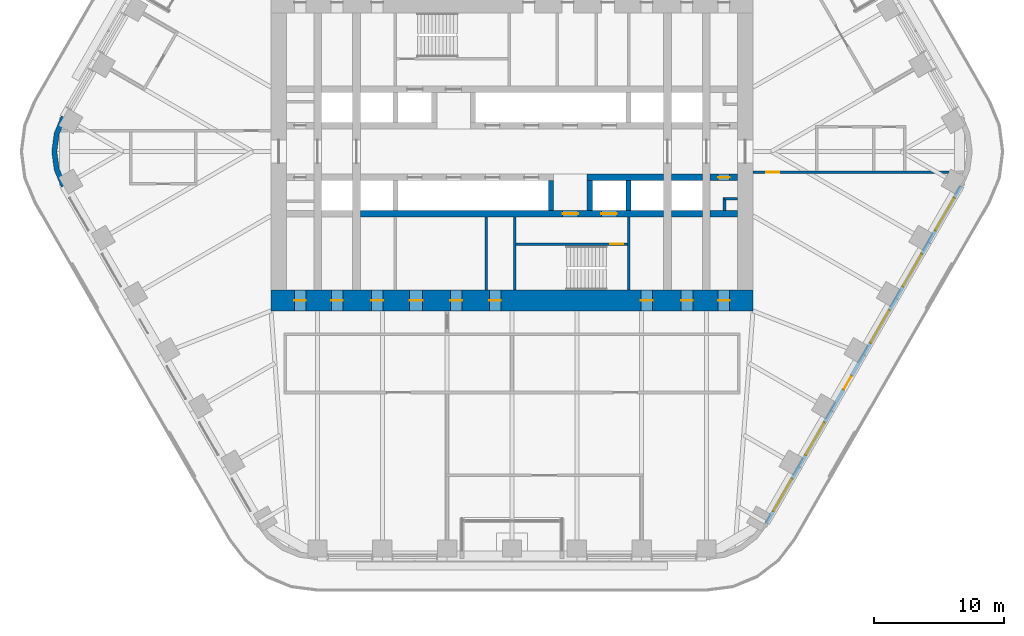
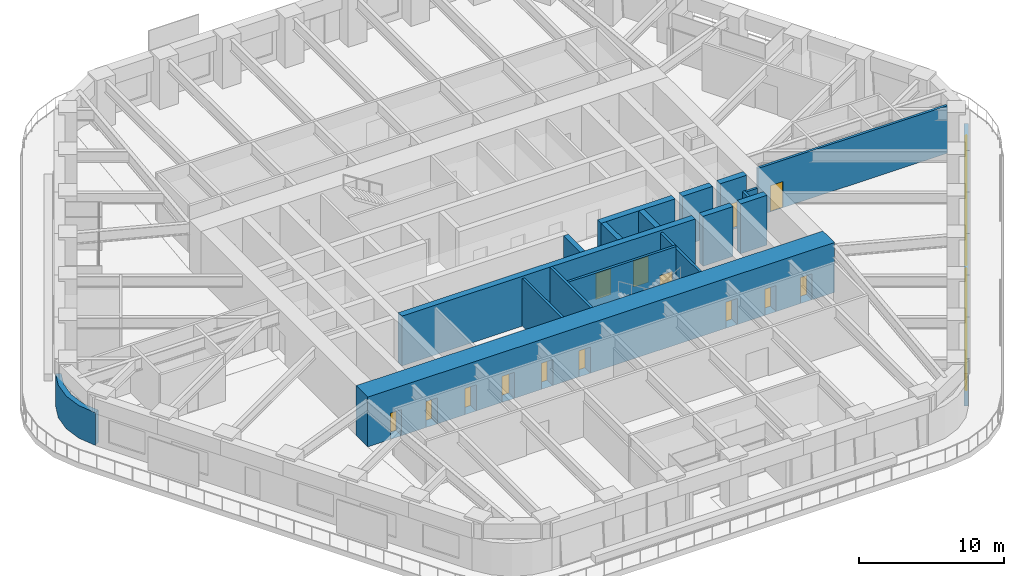
# One storey, part 18 of 24: 19 walls, 15 doors, 5 windows, 20 openings.
"""IFC4 building model written with IfcOpenShell, lengths in metres."""

from ifc_helpers import new_model, si_unit, direction, frame, frame_2d, origin, place, context, subcontext, project, spatial, polyline, rectangle, outline, extrude, material, layer, layer_set, type_object, element, fill, save


model = new_model("IFC4")

# Units and contexts
model_context = context("Model", 3, precision=1e-05, world=origin(), true_north=direction((0.0, 1.0)))
body_context = subcontext(model_context, "Body", "Model", "MODEL_VIEW")
ifc_project = project(units=[si_unit("LENGTHUNIT", "METRE"), si_unit("AREAUNIT", "SQUARE_METRE"), si_unit("VOLUMEUNIT", "CUBIC_METRE"), si_unit("PLANEANGLEUNIT", "RADIAN"), si_unit("MASSUNIT", "GRAM", prefix="KILO")], contexts=[model_context])

# Site, building, storey
site_placement = place(None, origin())
site = spatial("IfcSite", under=ifc_project, at=site_placement, CompositionType="ELEMENT")
building_placement = place(site_placement, origin())
building = spatial("IfcBuilding", under=site, at=building_placement, Name="Tarfa Lantern Tower", CompositionType="ELEMENT")
storey_placement = place(building_placement, frame((0.0, 0.0, 182.5)))
storey = spatial("IfcBuildingStorey", under=building, at=storey_placement, Name="L41", CompositionType="ELEMENT", Elevation=182.5)

# Wall, openings, door, windows
ifc_material_1 = material(Name="Limestone cladding on blockwork", Category="masonry")
ifc_layer_1 = layer(ifc_material_1, 0.300048828125)
ifc_layer_set_1 = layer_set([ifc_layer_1], Name="EW1 STONE-CLAD WALL 300")
wall_type_1 = type_object("IfcWallType", Name="EW1 STONE-CLAD WALL 300", PredefinedType="SOLIDWALL", material=ifc_layer_set_1)
wall_1_placement = place(storey_placement, frame((19.644287109375, -28.675048828125, 0.0), z_axis=(0.0, 0.0, 1.0), x_axis=(0.500003084452, 0.866023622968, 0.0)))
wall_1 = element("IfcWall", 1, at=wall_1_placement, inside=storey, type_object=wall_type_1, Name="Stone wall SE", PredefinedType="SOLIDWALL", context=body_context, shape_type="SweptSolid", body=[
    extrude(rectangle(XDim=30.022216796875, YDim=0.300048828125, at=frame_2d((15.01123046875, 0.0))), origin(), (0.0, 0.0, 1.0), 2.75),
])
opening_1_placement = place(wall_1_placement, frame((1.0517578125, 0.0, 0.60009765625)))
opening_1 = element("IfcOpeningElement", 2, at=opening_1_placement, cuts=wall_1, Name="Opening W9", PredefinedType="OPENING", context=body_context, shape_type="SweptSolid", body=[
    extrude(rectangle(XDim=2.89990234375, YDim=1.89990234375, at=frame_2d((1.449951171875, 0.949951171875))), frame((0.0, 0.159912109375, 0.0), z_axis=(0.0, -1.0, 0.0), x_axis=(1.0, 0.0, 0.0)), (0.0, 0.0, 1.0), 0.320068359375),
])
opening_2_placement = place(wall_1_placement, frame((6.0556640625, 0.0, 0.60009765625)))
opening_2 = element("IfcOpeningElement", 3, at=opening_2_placement, cuts=wall_1, Name="Opening W9", PredefinedType="OPENING", context=body_context, shape_type="SweptSolid", body=[
    extrude(rectangle(XDim=2.89990234375, YDim=1.89990234375, at=frame_2d((1.449951171875, 0.949951171875))), frame((0.0, 0.159912109375, 0.0), z_axis=(0.0, -1.0, 0.0), x_axis=(1.0, 0.0, 0.0)), (0.0, 0.0, 1.0), 0.320068359375),
])
opening_3_placement = place(wall_1_placement, frame((11.9091796875, 0.0, 0.0)))
opening_3 = element("IfcOpeningElement", 4, at=opening_3_placement, cuts=wall_1, Name="Opening D46", PredefinedType="OPENING", context=body_context, shape_type="SweptSolid", body=[
    extrude(rectangle(XDim=1.199951171875, YDim=2.39990234375, at=frame_2d((0.60009765625, 1.199951171875))), frame((0.0, 0.159912109375, 0.0), z_axis=(0.0, -1.0, 0.0), x_axis=(1.0, 0.0, 0.0)), (0.0, 0.0, 1.0), 0.320068359375),
])
opening_4_placement = place(wall_1_placement, frame((16.06298828125, 0.0, 0.60009765625)))
opening_4 = element("IfcOpeningElement", 5, at=opening_4_placement, cuts=wall_1, Name="Opening W9", PredefinedType="OPENING", context=body_context, shape_type="SweptSolid", body=[
    extrude(rectangle(XDim=2.89990234375, YDim=1.89990234375, at=frame_2d((1.449951171875, 0.949951171875))), frame((0.0, 0.159912109375, 0.0), z_axis=(0.0, -1.0, 0.0), x_axis=(1.0, 0.0, 0.0)), (0.0, 0.0, 1.0), 0.320068359375),
])
opening_5_placement = place(wall_1_placement, frame((21.066650390625, 0.0, 0.60009765625)))
opening_5 = element("IfcOpeningElement", 6, at=opening_5_placement, cuts=wall_1, Name="Opening W9", PredefinedType="OPENING", context=body_context, shape_type="SweptSolid", body=[
    extrude(rectangle(XDim=2.89990234375, YDim=1.89990234375, at=frame_2d((1.449951171875, 0.949951171875))), frame((0.0, 0.159912109375, 0.0), z_axis=(0.0, -1.0, 0.0), x_axis=(1.0, 0.0, 0.0)), (0.0, 0.0, 1.0), 0.320068359375),
])
opening_6_placement = place(wall_1_placement, frame((26.0703125, 0.0, 0.60009765625)))
opening_6 = element("IfcOpeningElement", 7, at=opening_6_placement, cuts=wall_1, Name="Opening W9", PredefinedType="OPENING", context=body_context, shape_type="SweptSolid", body=[
    extrude(rectangle(XDim=2.89990234375, YDim=1.89990234375, at=frame_2d((1.449951171875, 0.949951171875))), frame((0.0, 0.159912109375, 0.0), z_axis=(0.0, -1.0, 0.0), x_axis=(1.0, 0.0, 0.0)), (0.0, 0.0, 1.0), 0.320068359375),
])
ifc_material_2 = material(Name="Aluminium framed glazed door", Category="aluminium")
door_type_1 = type_object("IfcDoorType", Name="BE3 BALCONY DOOR 1200x2400", OperationType="SINGLE_SWING_RIGHT", PredefinedType="DOOR", material=ifc_material_2)
door_1_placement = place(opening_3_placement, origin())
door_1 = element("IfcDoor", 8, at=door_1_placement, inside=storey, type_object=door_type_1, Name="Balcony door SE", OperationType="SINGLE_SWING_RIGHT", OverallHeight=2.39990234375, OverallWidth=1.199951171875, PredefinedType="DOOR", context=body_context, shape_type="SweptSolid", body=[
    extrude(rectangle(XDim=1.199951171875, YDim=2.39990234375, at=frame_2d((0.60009765625, 1.199951171875))), frame((0.0, 0.02490234375, 0.0), z_axis=(0.0, -1.0, 0.0), x_axis=(1.0, 0.0, 0.0)), (0.0, 0.0, 1.0), 0.050048828125),
])
fill(opening_3, door_1)
ifc_material_3 = material(Name="Aluminium frame, double glazed", Category="aluminium")
window_type = type_object("IfcWindowType", Name="W9 FULL-HEIGHT GLAZING 2900x1900", PartitioningType="SINGLE_PANEL", PredefinedType="WINDOW", material=ifc_material_3)
window_1_placement = place(opening_1_placement, origin())
window_1 = element("IfcWindow", 9, at=window_1_placement, inside=storey, type_object=window_type, Name="Window SE 1", OverallHeight=1.89990234375, OverallWidth=2.89990234375, PartitioningType="SINGLE_PANEL", PredefinedType="WINDOW", context=body_context, shape_type="SweptSolid", body=[
    extrude(rectangle(XDim=2.89990234375, YDim=1.89990234375, at=frame_2d((1.449951171875, 0.949951171875))), frame((0.0, 0.030029296875, 0.0), z_axis=(0.0, -1.0, 0.0), x_axis=(1.0, 0.0, 0.0)), (0.0, 0.0, 1.0), 0.06005859375),
])
fill(opening_1, window_1)
window_2_placement = place(opening_2_placement, origin())
window_2 = element("IfcWindow", 10, at=window_2_placement, inside=storey, type_object=window_type, Name="Window SE 2", OverallHeight=1.89990234375, OverallWidth=2.89990234375, PartitioningType="SINGLE_PANEL", PredefinedType="WINDOW", context=body_context, shape_type="SweptSolid", body=[
    extrude(rectangle(XDim=2.89990234375, YDim=1.89990234375, at=frame_2d((1.449951171875, 0.949951171875))), frame((0.0, 0.030029296875, 0.0), z_axis=(0.0, -1.0, 0.0), x_axis=(1.0, 0.0, 0.0)), (0.0, 0.0, 1.0), 0.06005859375),
])
fill(opening_2, window_2)
window_3_placement = place(opening_4_placement, origin())
window_3 = element("IfcWindow", 11, at=window_3_placement, inside=storey, type_object=window_type, Name="Window SE 4", OverallHeight=1.89990234375, OverallWidth=2.89990234375, PartitioningType="SINGLE_PANEL", PredefinedType="WINDOW", context=body_context, shape_type="SweptSolid", body=[
    extrude(rectangle(XDim=2.89990234375, YDim=1.89990234375, at=frame_2d((1.449951171875, 0.949951171875))), frame((0.0, 0.030029296875, 0.0), z_axis=(0.0, -1.0, 0.0), x_axis=(1.0, 0.0, 0.0)), (0.0, 0.0, 1.0), 0.06005859375),
])
fill(opening_4, window_3)
window_4_placement = place(opening_5_placement, origin())
window_4 = element("IfcWindow", 12, at=window_4_placement, inside=storey, type_object=window_type, Name="Window SE 5", OverallHeight=1.89990234375, OverallWidth=2.89990234375, PartitioningType="SINGLE_PANEL", PredefinedType="WINDOW", context=body_context, shape_type="SweptSolid", body=[
    extrude(rectangle(XDim=2.89990234375, YDim=1.89990234375, at=frame_2d((1.449951171875, 0.949951171875))), frame((0.0, 0.030029296875, 0.0), z_axis=(0.0, -1.0, 0.0), x_axis=(1.0, 0.0, 0.0)), (0.0, 0.0, 1.0), 0.06005859375),
])
fill(opening_5, window_4)
window_5_placement = place(opening_6_placement, origin())
window_5 = element("IfcWindow", 13, at=window_5_placement, inside=storey, type_object=window_type, Name="Window SE 6", OverallHeight=1.89990234375, OverallWidth=2.89990234375, PartitioningType="SINGLE_PANEL", PredefinedType="WINDOW", context=body_context, shape_type="SweptSolid", body=[
    extrude(rectangle(XDim=2.89990234375, YDim=1.89990234375, at=frame_2d((1.449951171875, 0.949951171875))), frame((0.0, 0.030029296875, 0.0), z_axis=(0.0, -1.0, 0.0), x_axis=(1.0, 0.0, 0.0)), (0.0, 0.0, 1.0), 0.06005859375),
])
fill(opening_6, window_5)

# Walls
ifc_layer_2 = layer(ifc_material_1, 0.39990234375)
ifc_layer_set_2 = layer_set([ifc_layer_2], Name="EW2 CURVED STONE CORNER 400")
wall_type_2 = type_object("IfcWallType", Name="EW2 CURVED STONE CORNER 400", PredefinedType="SOLIDWALL", material=ifc_layer_set_2)
wall_2_placement = place(storey_placement, origin())
element("IfcWall", 14, at=wall_2_placement, inside=storey, type_object=wall_type_2, Name="Stone corner NW-SW", PredefinedType="SOLIDWALL", context=body_context, shape_type="SweptSolid", body=[
    extrude(outline(polyline([(-34.785400390625, 2.75), (-35.334716796875, 1.423583984375), (-35.522216796875, 0.0), (-35.334716796875, -1.423583984375), (-34.785400390625, -2.75), (-34.43896484375, -2.550048828125), (-34.948486328125, -1.320068359375), (-35.122314453125, 0.0), (-34.948486328125, 1.320068359375), (-34.43896484375, 2.550048828125), (-34.785400390625, 2.75)])), origin(), (0.0, 0.0, 1.0), 2.75),
])
ifc_material_4 = material(Name="Concrete blockwork", Category="masonry")
ifc_layer_3 = layer(ifc_material_4, 0.199951171875)
ifc_layer_set_3 = layer_set([ifc_layer_3], Name="IW1 BLOCKWORK PARTITION 200 EI 120")
wall_type_3 = type_object("IfcWallType", Name="IW1 BLOCKWORK PARTITION 200 EI 120", PredefinedType="PARTITIONING", material=ifc_layer_set_3)
for number, where, z_axis, x_axis, name in (
    (15, (9.0, -5.050048828125, 0.0), (0.0, 0.0, 1.0), (0.0, -1.0, 0.0), "Core partition"),
    (16, (-2.0, -5.050048828125, 0.0), (0.0, 0.0, 1.0), (0.0, -1.0, 0.0), "Core partition"),
):
    element("IfcWall", number, at=place(storey_placement, frame(where, z_axis=z_axis, x_axis=x_axis)), inside=storey, type_object=wall_type_3, Name=name, PredefinedType="PARTITIONING", context=body_context, shape_type="SweptSolid", body=[
        extrude(rectangle(XDim=5.64990234375, YDim=0.199951171875, at=frame_2d((2.824951171875, 0.0))), origin(), (0.0, 0.0, 1.0), 4.0),
    ])
for number, where, z_axis, x_axis, name in (
    (17, (17.39990234375, -3.64990234375, 0.0), (0.0, 0.0, 1.0), (-1.0, 0.0, 0.0), "Core partition"),
    (18, (16.39990234375, -3.550048828125, 0.0), (0.0, 0.0, 1.0), (0.0, -1.0, 0.0), "Core partition"),
):
    element("IfcWall", number, at=place(storey_placement, frame(where, z_axis=z_axis, x_axis=x_axis)), inside=storey, type_object=wall_type_3, Name=name, PredefinedType="PARTITIONING", context=body_context, shape_type="SweptSolid", body=[
        extrude(rectangle(XDim=1.0, YDim=0.199951171875, at=frame_2d((0.5, 0.0))), origin(), (0.0, 0.0, 1.0), 4.0),
    ])

# Wall, opening, door
ifc_material_5 = material(Name="Gypsum board on steel studs", Category="steel")
ifc_layer_4 = layer(ifc_material_5, 0.2099609375)
ifc_layer_set_4 = layer_set([ifc_layer_4], Name="IW2 ACOUSTIC PARTITION 200")
wall_type_4 = type_object("IfcWallType", Name="IW2 ACOUSTIC PARTITION 200", PredefinedType="PARTITIONING", material=ifc_layer_set_4)
wall_3_placement = place(storey_placement, frame((18.60009765625, -1.60009765625, 0.0), z_axis=(0.0, 0.0, 1.0), x_axis=(1.0, 0.0, 0.0)))
wall_3 = element("IfcWall", 19, at=wall_3_placement, inside=storey, type_object=wall_type_4, Name="Partition", PredefinedType="PARTITIONING", context=body_context, shape_type="SweptSolid", body=[
    extrude(rectangle(XDim=15.1171875, YDim=0.199951171875, at=frame_2d((7.55859375, 0.0))), origin(), (0.0, 0.0, 1.0), 4.0),
])
opening_7_placement = place(wall_3_placement, frame((1.01171875, 0.0, 0.0)))
opening_7 = element("IfcOpeningElement", 20, at=opening_7_placement, cuts=wall_3, Name="Opening D42", PredefinedType="OPENING", context=body_context, shape_type="SweptSolid", body=[
    extrude(rectangle(XDim=1.0, YDim=2.199951171875, at=frame_2d((0.5, 1.10009765625))), frame((0.0, 0.10986328125, 0.0), z_axis=(0.0, -1.0, 0.0), x_axis=(1.0, 0.0, 0.0)), (0.0, 0.0, 1.0), 0.219970703125),
])
ifc_material_6 = material(Name="Timber door", Category="wood")
door_type_2 = type_object("IfcDoorType", Name="DR1 ROOM DOOR 1000x2200", OperationType="SINGLE_SWING_LEFT", PredefinedType="DOOR", material=ifc_material_6)
door_2_placement = place(opening_7_placement, frame((1.0, 0.0, 0.0), z_axis=(0.0, 0.0, 1.0), x_axis=(-1.0, 0.0, 0.0)))
door_2 = element("IfcDoor", 21, at=door_2_placement, inside=storey, type_object=door_type_2, Name="Zone door", OperationType="SINGLE_SWING_LEFT", OverallHeight=2.199951171875, OverallWidth=1.0, PredefinedType="DOOR", context=body_context, shape_type="SweptSolid", body=[
    extrude(rectangle(XDim=1.0, YDim=2.199951171875, at=frame_2d((0.5, 1.10009765625))), frame((0.0, 0.02490234375, 0.0), z_axis=(0.0, -1.0, 0.0), x_axis=(1.0, 0.0, 0.0)), (0.0, 0.0, 1.0), 0.050048828125),
])
fill(opening_7, door_2)

# Wall
ifc_material_7 = material(Name="Concrete C80/95", Category="concrete")
ifc_layer_5 = layer(ifc_material_7, 0.199951171875)
ifc_layer_set_5 = layer_set([ifc_layer_5], Name="SW12 CORE WALL 200")
wall_type_5 = type_object("IfcWallType", Name="SW12 CORE WALL 200", PredefinedType="SHEAR", material=ifc_layer_set_5)
wall_4_placement = place(storey_placement, frame((0.199951171875, -5.050048828125, 0.0), z_axis=(0.0, 0.0, 1.0), x_axis=(0.0, -1.0, 0.0)))
element("IfcWall", 22, at=wall_4_placement, inside=storey, type_object=wall_type_5, Name="Core wall stair shaft S", PredefinedType="SHEAR", context=body_context, shape_type="SweptSolid", body=[
    extrude(rectangle(XDim=5.64990234375, YDim=0.199951171875, at=frame_2d((2.824951171875, 0.0))), origin(), (0.0, 0.0, 1.0), 4.199951171875),
])

# Wall, opening, door
wall_5_placement = place(storey_placement, frame((8.89990234375, -7.14990234375, 0.0), z_axis=(0.0, 0.0, 1.0), x_axis=(-1.0, 0.0, 0.0)))
wall_5 = element("IfcWall", 23, at=wall_5_placement, inside=storey, type_object=wall_type_5, Name="Core wall stair partition S", PredefinedType="SHEAR", context=body_context, shape_type="SweptSolid", body=[
    extrude(rectangle(XDim=8.599853515625, YDim=0.199951171875, at=frame_2d((4.2998046875, 0.0))), origin(), (0.0, 0.0, 1.0), 4.199951171875),
])
opening_8_placement = place(wall_5_placement, frame((0.300048828125, 0.0, 0.0)))
opening_8 = element("IfcOpeningElement", 24, at=opening_8_placement, cuts=wall_5, Name="Opening D28", PredefinedType="OPENING", context=body_context, shape_type="SweptSolid", body=[
    extrude(rectangle(XDim=1.0, YDim=2.199951171875, at=frame_2d((0.5, 1.10009765625))), frame((0.0, 0.10986328125, 0.0), z_axis=(0.0, -1.0, 0.0), x_axis=(1.0, 0.0, 0.0)), (0.0, 0.0, 1.0), 0.219970703125),
])
ifc_material_8 = material(Name="Steel fire door", Category="steel")
door_type_3 = type_object("IfcDoorType", Name="DF2 STAIR DOOR 1000x2200", OperationType="SINGLE_SWING_LEFT", PredefinedType="DOOR", material=ifc_material_8)
door_3_placement = place(opening_8_placement, origin())
door_3 = element("IfcDoor", 25, at=door_3_placement, inside=storey, type_object=door_type_3, Name="Stair door", OperationType="SINGLE_SWING_RIGHT", OverallHeight=2.199951171875, OverallWidth=1.0, PredefinedType="DOOR", context=body_context, shape_type="SweptSolid", body=[
    extrude(rectangle(XDim=1.0, YDim=2.199951171875, at=frame_2d((0.5, 1.10009765625))), frame((0.0, 0.02490234375, 0.0), z_axis=(0.0, -1.0, 0.0), x_axis=(1.0, 0.0, 0.0)), (0.0, 0.0, 1.0), 0.050048828125),
])
fill(opening_8, door_3)

ifc_layer_6 = layer(ifc_material_7, 0.5)
ifc_layer_set_6 = layer_set([ifc_layer_6], Name="SW5 CORE WALL 500")
wall_type_6 = type_object("IfcWallType", Name="SW5 CORE WALL 500", PredefinedType="SHEAR", material=ifc_layer_set_6)
wall_6_placement = place(storey_placement, frame((17.39990234375, -2.0, 0.0), z_axis=(0.0, 0.0, 1.0), x_axis=(-1.0, 0.0, 0.0)))
wall_6 = element("IfcWall", 26, at=wall_6_placement, inside=storey, type_object=wall_type_6, Name="Core wall lobby west S", PredefinedType="SHEAR", context=body_context, shape_type="SweptSolid", body=[
    extrude(rectangle(XDim=2.099853515625, YDim=0.5, at=frame_2d((1.0498046875, 0.0))), origin(), (0.0, 0.0, 1.0), 4.199951171875),
])
opening_9_placement = place(wall_6_placement, frame((0.60009765625, 0.0, 0.0)))
opening_9 = element("IfcOpeningElement", 27, at=opening_9_placement, cuts=wall_6, Name="Opening D20", PredefinedType="OPENING", context=body_context, shape_type="SweptSolid", body=[
    extrude(rectangle(XDim=0.89990234375, YDim=2.199951171875, at=frame_2d((0.449951171875, 1.10009765625))), frame((0.0, 0.260009765625, 0.0), z_axis=(0.0, -1.0, 0.0), x_axis=(1.0, 0.0, 0.0)), (0.0, 0.0, 1.0), 0.52001953125),
])
door_type_4 = type_object("IfcDoorType", Name="DF6 SERVICE ROOM DOOR 900x2200", OperationType="SINGLE_SWING_LEFT", PredefinedType="DOOR", material=ifc_material_8)
door_4_placement = place(opening_9_placement, origin())
door_4 = element("IfcDoor", 28, at=door_4_placement, inside=storey, type_object=door_type_4, Name="Service room door", OperationType="SINGLE_SWING_LEFT", OverallHeight=2.199951171875, OverallWidth=0.89990234375, PredefinedType="DOOR", context=body_context, shape_type="SweptSolid", body=[
    extrude(rectangle(XDim=0.89990234375, YDim=2.199951171875, at=frame_2d((0.449951171875, 1.10009765625))), frame((0.0, 0.02490234375, 0.0), z_axis=(0.0, -1.0, 0.0), x_axis=(1.0, 0.0, 0.0)), (0.0, 0.0, 1.0), 0.050048828125),
])
fill(opening_9, door_4)

# Walls
wall_7_placement = place(storey_placement, frame((14.699951171875, -2.0, 0.0), z_axis=(0.0, 0.0, 1.0), x_axis=(-1.0, 0.0, 0.0)))
element("IfcWall", 29, at=wall_7_placement, inside=storey, type_object=wall_type_6, Name="Core wall lobby west S", PredefinedType="SHEAR", context=body_context, shape_type="SweptSolid", body=[
    extrude(rectangle(XDim=2.39990234375, YDim=0.5, at=frame_2d((1.199951171875, 0.0))), origin(), (0.0, 0.0, 1.0), 4.199951171875),
])
wall_8_placement = place(storey_placement, frame((11.699951171875, -2.0, 0.0), z_axis=(0.0, 0.0, 1.0), x_axis=(-1.0, 0.0, 0.0)))
element("IfcWall", 30, at=wall_8_placement, inside=storey, type_object=wall_type_6, Name="Core wall lobby west S", PredefinedType="SHEAR", context=body_context, shape_type="SweptSolid", body=[
    extrude(rectangle(XDim=5.89990234375, YDim=0.5, at=frame_2d((2.949951171875, 0.0))), origin(), (0.0, 0.0, 1.0), 4.199951171875),
])
wall_9_placement = place(storey_placement, frame((17.39990234375, -4.800048828125, 0.0), z_axis=(0.0, 0.0, 1.0), x_axis=(-1.0, 0.0, 0.0)))
element("IfcWall", 31, at=wall_9_placement, inside=storey, type_object=wall_type_6, Name="Core wall rear S", PredefinedType="SHEAR", context=body_context, shape_type="SweptSolid", body=[
    extrude(rectangle(XDim=2.099853515625, YDim=0.5, at=frame_2d((1.0498046875, 0.0))), origin(), (0.0, 0.0, 1.0), 4.199951171875),
])
wall_10_placement = place(storey_placement, frame((14.699951171875, -4.800048828125, 0.0), z_axis=(0.0, 0.0, 1.0), x_axis=(-1.0, 0.0, 0.0)))
element("IfcWall", 32, at=wall_10_placement, inside=storey, type_object=wall_type_6, Name="Core wall rear S", PredefinedType="SHEAR", context=body_context, shape_type="SweptSolid", body=[
    extrude(rectangle(XDim=2.39990234375, YDim=0.5, at=frame_2d((1.199951171875, 0.0))), origin(), (0.0, 0.0, 1.0), 4.199951171875),
])

# Wall, openings, doors
wall_11_placement = place(storey_placement, frame((11.699951171875, -4.800048828125, 0.0), z_axis=(0.0, 0.0, 1.0), x_axis=(-1.0, 0.0, 0.0)))
wall_11 = element("IfcWall", 33, at=wall_11_placement, inside=storey, type_object=wall_type_6, Name="Core wall rear S", PredefinedType="SHEAR", context=body_context, shape_type="SweptSolid", body=[
    extrude(rectangle(XDim=23.39990234375, YDim=0.5, at=frame_2d((11.699951171875, 0.0))), origin(), (0.0, 0.0, 1.0), 4.199951171875),
])
opening_10_placement = place(wall_11_placement, frame((6.60009765625, 0.0, 0.0)))
opening_10 = element("IfcOpeningElement", 34, at=opening_10_placement, cuts=wall_11, Name="Opening D14", PredefinedType="OPENING", context=body_context, shape_type="SweptSolid", body=[
    extrude(rectangle(XDim=1.199951171875, YDim=2.199951171875, at=frame_2d((0.60009765625, 1.10009765625))), frame((0.0, 0.260009765625, 0.0), z_axis=(0.0, -1.0, 0.0), x_axis=(1.0, 0.0, 0.0)), (0.0, 0.0, 1.0), 0.52001953125),
])
opening_11_placement = place(wall_11_placement, frame((3.60009765625, 0.0, 0.0)))
opening_11 = element("IfcOpeningElement", 35, at=opening_11_placement, cuts=wall_11, Name="Opening LD02", PredefinedType="OPENING", context=body_context, shape_type="SweptSolid", body=[
    extrude(rectangle(XDim=1.199951171875, YDim=2.199951171875, at=frame_2d((0.60009765625, 1.10009765625))), frame((0.0, 0.260009765625, 0.0), z_axis=(0.0, -1.0, 0.0), x_axis=(1.0, 0.0, 0.0)), (0.0, 0.0, 1.0), 0.52001953125),
])
door_type_5 = type_object("IfcDoorType", Name="DF1 FIREFIGHTING LOBBY DOOR 1200x2200", OperationType="SINGLE_SWING_LEFT", PredefinedType="DOOR", material=ifc_material_8)
door_5_placement = place(opening_10_placement, origin())
door_5 = element("IfcDoor", 36, at=door_5_placement, inside=storey, type_object=door_type_5, Name="Firefighting lobby door", OperationType="SINGLE_SWING_LEFT", OverallHeight=2.199951171875, OverallWidth=1.199951171875, PredefinedType="DOOR", context=body_context, shape_type="SweptSolid", body=[
    extrude(rectangle(XDim=1.199951171875, YDim=2.199951171875, at=frame_2d((0.60009765625, 1.10009765625))), frame((0.0, 0.02490234375, 0.0), z_axis=(0.0, -1.0, 0.0), x_axis=(1.0, 0.0, 0.0)), (0.0, 0.0, 1.0), 0.050048828125),
])
fill(opening_10, door_5)
ifc_material_9 = material(Name="Stainless steel lift door", Category="steel")
door_type_6 = type_object("IfcDoorType", Name="LD1 LIFT LANDING DOOR 1200x2200", OperationType="SLIDING_TO_LEFT", PredefinedType="DOOR", material=ifc_material_9)
door_6_placement = place(opening_11_placement, origin())
door_6 = element("IfcDoor", 37, at=door_6_placement, inside=storey, type_object=door_type_6, Name="Landing door FL2", OperationType="SLIDING_TO_LEFT", OverallHeight=2.199951171875, OverallWidth=1.199951171875, PredefinedType="DOOR", context=body_context, shape_type="SweptSolid", body=[
    extrude(rectangle(XDim=1.199951171875, YDim=2.199951171875, at=frame_2d((0.60009765625, 1.10009765625))), frame((0.0, 0.02490234375, 0.0), z_axis=(0.0, -1.0, 0.0), x_axis=(1.0, 0.0, 0.0)), (0.0, 0.0, 1.0), 0.050048828125),
])
fill(opening_11, door_6)

# Walls
ifc_layer_7 = layer(ifc_material_7, 0.39990234375)
ifc_layer_set_7 = layer_set([ifc_layer_7], Name="SW6 CORE WALL 400")
wall_type_7 = type_object("IfcWallType", Name="SW6 CORE WALL 400", PredefinedType="SHEAR", material=ifc_layer_set_7)
for number, where, z_axis, x_axis, name in (
    (38, (9.0, -2.25, 0.0), (0.0, 0.0, 1.0), (0.0, -1.0, 0.0), "Core wall divider S"),
    (39, (6.0, -2.25, 0.0), (0.0, 0.0, 1.0), (0.0, -1.0, 0.0), "Core wall divider S"),
    (40, (3.0, -2.25, 0.0), (0.0, 0.0, 1.0), (0.0, -1.0, 0.0), "Core wall divider S"),
):
    element("IfcWall", number, at=place(storey_placement, frame(where, z_axis=z_axis, x_axis=x_axis)), inside=storey, type_object=wall_type_7, Name=name, PredefinedType="SHEAR", context=body_context, shape_type="SweptSolid", body=[
        extrude(rectangle(XDim=2.300048828125, YDim=0.39990234375, at=frame_2d((1.14990234375, 0.0))), origin(), (0.0, 0.0, 1.0), 4.199951171875),
    ])

# Wall, openings, doors
ifc_layer_8 = layer(ifc_material_7, 1.60009765625)
ifc_layer_set_8 = layer_set([ifc_layer_8], Name="SW7 CORE WALL 1600")
wall_type_8 = type_object("IfcWallType", Name="SW7 CORE WALL 1600", PredefinedType="SHEAR", material=ifc_layer_set_8)
wall_12_placement = place(storey_placement, frame((18.60009765625, -11.5, 0.0), z_axis=(0.0, 0.0, 1.0), x_axis=(-1.0, 0.0, 0.0)))
wall_12 = element("IfcWall", 41, at=wall_12_placement, inside=storey, type_object=wall_type_8, Name="Core wall S", PredefinedType="SHEAR", context=body_context, shape_type="SweptSolid", body=[
    extrude(rectangle(XDim=37.2001953125, YDim=1.60009765625, at=frame_2d((18.60009765625, 0.0))), origin(), (0.0, 0.0, 1.0), 4.199951171875),
])
opening_12_placement = place(wall_12_placement, frame((19.449951171875, 0.0, 0.0)))
opening_12 = element("IfcOpeningElement", 42, at=opening_12_placement, cuts=wall_12, Name="Opening D22", PredefinedType="OPENING", context=body_context, shape_type="SweptSolid", body=[
    extrude(rectangle(XDim=0.89990234375, YDim=2.199951171875, at=frame_2d((0.449951171875, 1.10009765625))), frame((0.0, 0.81005859375, 0.0), z_axis=(0.0, -1.0, 0.0), x_axis=(1.0, 0.0, 0.0)), (0.0, 0.0, 1.0), 1.6201171875),
])
opening_13_placement = place(wall_12_placement, frame((22.449951171875, 0.0, 0.0)))
opening_13 = element("IfcOpeningElement", 43, at=opening_13_placement, cuts=wall_12, Name="Opening D24", PredefinedType="OPENING", context=body_context, shape_type="SweptSolid", body=[
    extrude(rectangle(XDim=0.89990234375, YDim=2.199951171875, at=frame_2d((0.449951171875, 1.10009765625))), frame((0.0, 0.81005859375, 0.0), z_axis=(0.0, -1.0, 0.0), x_axis=(1.0, 0.0, 0.0)), (0.0, 0.0, 1.0), 1.6201171875),
])
opening_14_placement = place(wall_12_placement, frame((25.5, 0.0, 0.0)))
opening_14 = element("IfcOpeningElement", 44, at=opening_14_placement, cuts=wall_12, Name="Opening D26", PredefinedType="OPENING", context=body_context, shape_type="SweptSolid", body=[
    extrude(rectangle(XDim=1.0, YDim=2.199951171875, at=frame_2d((0.5, 1.10009765625))), frame((0.0, 0.81005859375, 0.0), z_axis=(0.0, -1.0, 0.0), x_axis=(1.0, 0.0, 0.0)), (0.0, 0.0, 1.0), 1.6201171875),
])
opening_15_placement = place(wall_12_placement, frame((1.800048828125, 0.0, 0.0)))
opening_15 = element("IfcOpeningElement", 45, at=opening_15_placement, cuts=wall_12, Name="Opening D12", PredefinedType="OPENING", context=body_context, shape_type="SweptSolid", body=[
    extrude(rectangle(XDim=0.89990234375, YDim=2.199951171875, at=frame_2d((0.449951171875, 1.10009765625))), frame((0.0, 0.81005859375, 0.0), z_axis=(0.0, -1.0, 0.0), x_axis=(1.0, 0.0, 0.0)), (0.0, 0.0, 1.0), 1.6201171875),
])
opening_16_placement = place(wall_12_placement, frame((4.64990234375, 0.0, 0.0)))
opening_16 = element("IfcOpeningElement", 46, at=opening_16_placement, cuts=wall_12, Name="Opening D08", PredefinedType="OPENING", context=body_context, shape_type="SweptSolid", body=[
    extrude(rectangle(XDim=0.89990234375, YDim=2.199951171875, at=frame_2d((0.449951171875, 1.10009765625))), frame((0.0, 0.81005859375, 0.0), z_axis=(0.0, -1.0, 0.0), x_axis=(1.0, 0.0, 0.0)), (0.0, 0.0, 1.0), 1.6201171875),
])
opening_17_placement = place(wall_12_placement, frame((7.75, 0.0, 0.0)))
opening_17 = element("IfcOpeningElement", 47, at=opening_17_placement, cuts=wall_12, Name="Opening D10", PredefinedType="OPENING", context=body_context, shape_type="SweptSolid", body=[
    extrude(rectangle(XDim=0.89990234375, YDim=2.199951171875, at=frame_2d((0.449951171875, 1.10009765625))), frame((0.0, 0.81005859375, 0.0), z_axis=(0.0, -1.0, 0.0), x_axis=(1.0, 0.0, 0.0)), (0.0, 0.0, 1.0), 1.6201171875),
])
opening_18_placement = place(wall_12_placement, frame((28.550048828125, 0.0, 0.0)))
opening_18 = element("IfcOpeningElement", 48, at=opening_18_placement, cuts=wall_12, Name="Opening D06", PredefinedType="OPENING", context=body_context, shape_type="SweptSolid", body=[
    extrude(rectangle(XDim=0.89990234375, YDim=2.199951171875, at=frame_2d((0.449951171875, 1.10009765625))), frame((0.0, 0.81005859375, 0.0), z_axis=(0.0, -1.0, 0.0), x_axis=(1.0, 0.0, 0.0)), (0.0, 0.0, 1.0), 1.6201171875),
])
opening_19_placement = place(wall_12_placement, frame((31.64990234375, 0.0, 0.0)))
opening_19 = element("IfcOpeningElement", 49, at=opening_19_placement, cuts=wall_12, Name="Opening D02", PredefinedType="OPENING", context=body_context, shape_type="SweptSolid", body=[
    extrude(rectangle(XDim=0.89990234375, YDim=2.199951171875, at=frame_2d((0.449951171875, 1.10009765625))), frame((0.0, 0.81005859375, 0.0), z_axis=(0.0, -1.0, 0.0), x_axis=(1.0, 0.0, 0.0)), (0.0, 0.0, 1.0), 1.6201171875),
])
opening_20_placement = place(wall_12_placement, frame((34.5, 0.0, 0.0)))
opening_20 = element("IfcOpeningElement", 50, at=opening_20_placement, cuts=wall_12, Name="Opening D04", PredefinedType="OPENING", context=body_context, shape_type="SweptSolid", body=[
    extrude(rectangle(XDim=0.89990234375, YDim=2.199951171875, at=frame_2d((0.449951171875, 1.10009765625))), frame((0.0, 0.81005859375, 0.0), z_axis=(0.0, -1.0, 0.0), x_axis=(1.0, 0.0, 0.0)), (0.0, 0.0, 1.0), 1.6201171875),
])
door_type_7 = type_object("IfcDoorType", Name="DF3 CORE ROOM DOOR 900x2200", OperationType="SINGLE_SWING_LEFT", PredefinedType="DOOR", material=ifc_material_8)
door_7_placement = place(opening_12_placement, frame((0.89990234375, 0.0, 0.0), z_axis=(0.0, 0.0, 1.0), x_axis=(-1.0, 0.0, 0.0)))
door_7 = element("IfcDoor", 51, at=door_7_placement, inside=storey, type_object=door_type_7, Name="Core door", OperationType="SINGLE_SWING_RIGHT", OverallHeight=2.199951171875, OverallWidth=0.89990234375, PredefinedType="DOOR", context=body_context, shape_type="SweptSolid", body=[
    extrude(rectangle(XDim=0.89990234375, YDim=2.199951171875, at=frame_2d((0.449951171875, 1.10009765625))), frame((0.0, 0.02490234375, 0.0), z_axis=(0.0, -1.0, 0.0), x_axis=(1.0, 0.0, 0.0)), (0.0, 0.0, 1.0), 0.050048828125),
])
fill(opening_12, door_7)
door_8_placement = place(opening_13_placement, frame((0.89990234375, 0.0, 0.0), z_axis=(0.0, 0.0, 1.0), x_axis=(-1.0, 0.0, 0.0)))
door_8 = element("IfcDoor", 52, at=door_8_placement, inside=storey, type_object=door_type_7, Name="Core door", OperationType="SINGLE_SWING_LEFT", OverallHeight=2.199951171875, OverallWidth=0.89990234375, PredefinedType="DOOR", context=body_context, shape_type="SweptSolid", body=[
    extrude(rectangle(XDim=0.89990234375, YDim=2.199951171875, at=frame_2d((0.449951171875, 1.10009765625))), frame((0.0, 0.02490234375, 0.0), z_axis=(0.0, -1.0, 0.0), x_axis=(1.0, 0.0, 0.0)), (0.0, 0.0, 1.0), 0.050048828125),
])
fill(opening_13, door_8)
door_type_8 = type_object("IfcDoorType", Name="DF4 CORE ROOM DOOR 1000x2200", OperationType="SINGLE_SWING_LEFT", PredefinedType="DOOR", material=ifc_material_8)
door_9_placement = place(opening_14_placement, frame((1.0, 0.0, 0.0), z_axis=(0.0, 0.0, 1.0), x_axis=(-1.0, 0.0, 0.0)))
door_9 = element("IfcDoor", 53, at=door_9_placement, inside=storey, type_object=door_type_8, Name="Core door", OperationType="SINGLE_SWING_RIGHT", OverallHeight=2.199951171875, OverallWidth=1.0, PredefinedType="DOOR", context=body_context, shape_type="SweptSolid", body=[
    extrude(rectangle(XDim=1.0, YDim=2.199951171875, at=frame_2d((0.5, 1.10009765625))), frame((0.0, 0.02490234375, 0.0), z_axis=(0.0, -1.0, 0.0), x_axis=(1.0, 0.0, 0.0)), (0.0, 0.0, 1.0), 0.050048828125),
])
fill(opening_14, door_9)
door_type_9 = type_object("IfcDoorType", Name="DF5 RISER DOOR 900x2200", OperationType="SINGLE_SWING_LEFT", PredefinedType="DOOR", material=ifc_material_8)
door_10_placement = place(opening_15_placement, frame((0.89990234375, 0.0, 0.0), z_axis=(0.0, 0.0, 1.0), x_axis=(-1.0, 0.0, 0.0)))
door_10 = element("IfcDoor", 54, at=door_10_placement, inside=storey, type_object=door_type_9, Name="Riser door", OperationType="SINGLE_SWING_LEFT", OverallHeight=2.199951171875, OverallWidth=0.89990234375, PredefinedType="DOOR", context=body_context, shape_type="SweptSolid", body=[
    extrude(rectangle(XDim=0.89990234375, YDim=2.199951171875, at=frame_2d((0.449951171875, 1.10009765625))), frame((0.0, 0.02490234375, 0.0), z_axis=(0.0, -1.0, 0.0), x_axis=(1.0, 0.0, 0.0)), (0.0, 0.0, 1.0), 0.050048828125),
])
fill(opening_15, door_10)
door_11_placement = place(opening_16_placement, frame((0.89990234375, 0.0, 0.0), z_axis=(0.0, 0.0, 1.0), x_axis=(-1.0, 0.0, 0.0)))
door_11 = element("IfcDoor", 55, at=door_11_placement, inside=storey, type_object=door_type_9, Name="Riser door", OperationType="SINGLE_SWING_LEFT", OverallHeight=2.199951171875, OverallWidth=0.89990234375, PredefinedType="DOOR", context=body_context, shape_type="SweptSolid", body=[
    extrude(rectangle(XDim=0.89990234375, YDim=2.199951171875, at=frame_2d((0.449951171875, 1.10009765625))), frame((0.0, 0.02490234375, 0.0), z_axis=(0.0, -1.0, 0.0), x_axis=(1.0, 0.0, 0.0)), (0.0, 0.0, 1.0), 0.050048828125),
])
fill(opening_16, door_11)
door_12_placement = place(opening_17_placement, frame((0.89990234375, 0.0, 0.0), z_axis=(0.0, 0.0, 1.0), x_axis=(-1.0, 0.0, 0.0)))
door_12 = element("IfcDoor", 56, at=door_12_placement, inside=storey, type_object=door_type_9, Name="Riser door", OperationType="SINGLE_SWING_LEFT", OverallHeight=2.199951171875, OverallWidth=0.89990234375, PredefinedType="DOOR", context=body_context, shape_type="SweptSolid", body=[
    extrude(rectangle(XDim=0.89990234375, YDim=2.199951171875, at=frame_2d((0.449951171875, 1.10009765625))), frame((0.0, 0.02490234375, 0.0), z_axis=(0.0, -1.0, 0.0), x_axis=(1.0, 0.0, 0.0)), (0.0, 0.0, 1.0), 0.050048828125),
])
fill(opening_17, door_12)
door_13_placement = place(opening_18_placement, frame((0.89990234375, 0.0, 0.0), z_axis=(0.0, 0.0, 1.0), x_axis=(-1.0, 0.0, 0.0)))
door_13 = element("IfcDoor", 57, at=door_13_placement, inside=storey, type_object=door_type_9, Name="Riser door", OperationType="SINGLE_SWING_RIGHT", OverallHeight=2.199951171875, OverallWidth=0.89990234375, PredefinedType="DOOR", context=body_context, shape_type="SweptSolid", body=[
    extrude(rectangle(XDim=0.89990234375, YDim=2.199951171875, at=frame_2d((0.449951171875, 1.10009765625))), frame((0.0, 0.02490234375, 0.0), z_axis=(0.0, -1.0, 0.0), x_axis=(1.0, 0.0, 0.0)), (0.0, 0.0, 1.0), 0.050048828125),
])
fill(opening_18, door_13)
door_14_placement = place(opening_19_placement, frame((0.89990234375, 0.0, 0.0), z_axis=(0.0, 0.0, 1.0), x_axis=(-1.0, 0.0, 0.0)))
door_14 = element("IfcDoor", 58, at=door_14_placement, inside=storey, type_object=door_type_9, Name="Riser door", OperationType="SINGLE_SWING_RIGHT", OverallHeight=2.199951171875, OverallWidth=0.89990234375, PredefinedType="DOOR", context=body_context, shape_type="SweptSolid", body=[
    extrude(rectangle(XDim=0.89990234375, YDim=2.199951171875, at=frame_2d((0.449951171875, 1.10009765625))), frame((0.0, 0.02490234375, 0.0), z_axis=(0.0, -1.0, 0.0), x_axis=(1.0, 0.0, 0.0)), (0.0, 0.0, 1.0), 0.050048828125),
])
fill(opening_19, door_14)
door_15_placement = place(opening_20_placement, frame((0.89990234375, 0.0, 0.0), z_axis=(0.0, 0.0, 1.0), x_axis=(-1.0, 0.0, 0.0)))
door_15 = element("IfcDoor", 59, at=door_15_placement, inside=storey, type_object=door_type_9, Name="Riser door", OperationType="SINGLE_SWING_RIGHT", OverallHeight=2.199951171875, OverallWidth=0.89990234375, PredefinedType="DOOR", context=body_context, shape_type="SweptSolid", body=[
    extrude(rectangle(XDim=0.89990234375, YDim=2.199951171875, at=frame_2d((0.449951171875, 1.10009765625))), frame((0.0, 0.02490234375, 0.0), z_axis=(0.0, -1.0, 0.0), x_axis=(1.0, 0.0, 0.0)), (0.0, 0.0, 1.0), 0.050048828125),
])
fill(opening_20, door_15)

save(model, "model.ifc")
